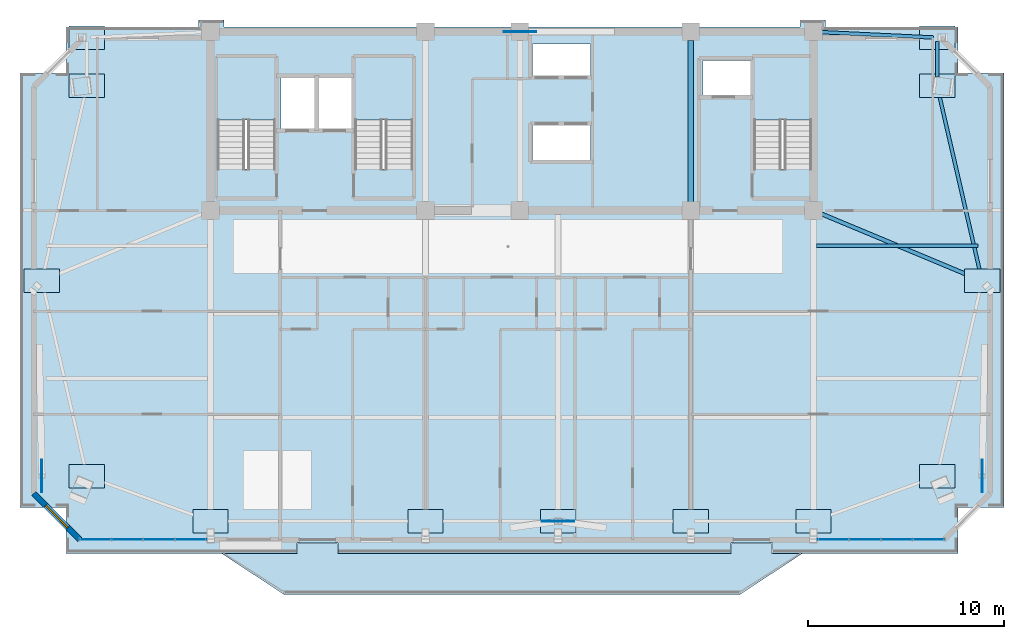
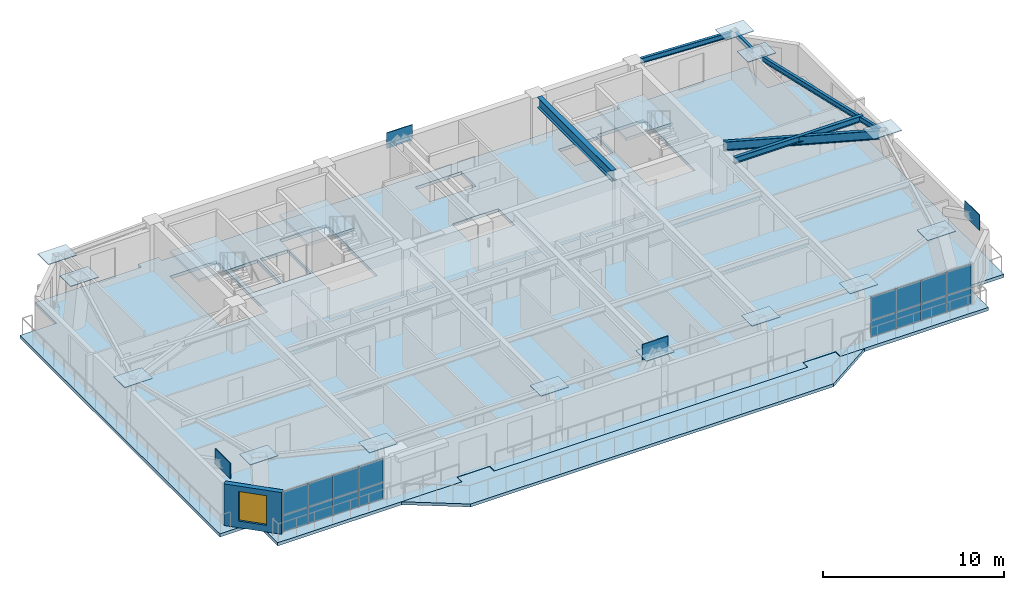
# One storey, part 5 of 14: 33 plates, 6 beams, 5 slabs, 1 wall, 1 window, 1 opening, 5 elements without a shape of their own.
"""IFC4 building model written with IfcOpenShell, lengths in metres."""

from ifc_helpers import new_model, si_unit, direction, frame, frame_2d, origin, origin_2d, place, context, subcontext, project, spatial, polyline, rectangle, i_section, outline, extrude, source, transform, mapped, material, layer, layer_set, material_profile, profile_set, type_object, element, fill, aggregate, save


model = new_model("IFC4")

# Units and contexts
model_context = context("Model", 3, precision=1e-05, world=origin(), true_north=direction((0.0, 1.0)))
body_context = subcontext(model_context, "Body", "Model", "MODEL_VIEW")
ifc_project = project(units=[si_unit("LENGTHUNIT", "METRE"), si_unit("AREAUNIT", "SQUARE_METRE"), si_unit("VOLUMEUNIT", "CUBIC_METRE"), si_unit("PLANEANGLEUNIT", "RADIAN"), si_unit("MASSUNIT", "GRAM", prefix="KILO")], contexts=[model_context])

# Site, building, storey
site_placement = place(None, origin())
site = spatial("IfcSite", under=ifc_project, at=site_placement, CompositionType="ELEMENT")
building_placement = place(site_placement, origin())
building = spatial("IfcBuilding", under=site, at=building_placement, Name="Giltprow Tower", CompositionType="ELEMENT")
storey_placement = place(building_placement, frame((0.0, 0.0, 321.0)))
storey = spatial("IfcBuildingStorey", under=building, at=storey_placement, Name="L83", CompositionType="ELEMENT", Elevation=321.0)

# Beams
ifc_material_1 = material(Name="Structural steel Q355B", Category="steel")
ifc_material_profile_1 = material_profile(ifc_material_1, i_section(OverallWidth=0.300048828125, OverallDepth=0.699951171875, WebThickness=0.012939453125, FlangeThickness=0.02392578125, at=origin_2d()), Name="HN 700x300x13x24")
ifc_profile_set_1 = profile_set([ifc_material_profile_1], Name="Structural steel Q355B")
beam_type_1 = type_object("IfcBeamType", Name="BM-GIRD-HN700", PredefinedType="BEAM", material=ifc_profile_set_1)
shared_shape_1 = source(origin(), body_context, "Body", "SweptSolid", [
    extrude(i_section(OverallWidth=0.300048828125, OverallDepth=0.699951171875, WebThickness=0.012939453125, FlangeThickness=0.02392578125, at=origin_2d()), origin(), (0.0, 0.0, 1.0), 8.22998046875),
])
beam_1_placement = place(storey_placement, frame((44.300048828125, 37.885009765625, 2.8349609375), z_axis=(0.0, 1.0, 0.0), x_axis=(-1.0, 0.0, 0.0)))
element("IfcBeam", 1, at=beam_1_placement, inside=storey, type_object=beam_type_1, Name="L83 Core Tie Girder M3", PredefinedType="BEAM", context=body_context, shape_type="MappedRepresentation", body=[
    mapped(shared_shape_1, transform((0.0, 0.0, 0.0), x_axis=(1.0, 0.0, 0.0), y_axis=(0.0, 1.0, 0.0), z_axis=(0.0, 0.0, 1.0), scale=1.0)),
])
ifc_material_profile_2 = material_profile(ifc_material_1, i_section(OverallWidth=0.175048828125, OverallDepth=0.35009765625, WebThickness=0.007080078125, FlangeThickness=0.010986328125, at=origin_2d()), Name="HN 350x175x7x11")
ifc_profile_set_2 = profile_set([ifc_material_profile_2], Name="Structural steel Q355B")
beam_type_2 = type_object("IfcBeamType", Name="BM-SPAN-HN350", PredefinedType="SPANDREL", material=ifc_profile_set_2)
shared_shape_2 = source(origin(), body_context, "Body", "SweptSolid", [
    extrude(i_section(OverallWidth=0.175048828125, OverallDepth=0.35009765625, WebThickness=0.007080078125, FlangeThickness=0.010986328125, at=origin_2d()), origin(), (0.0, 0.0, 1.0), 9.580810546875),
])
beam_2_placement = place(storey_placement, frame((59.089111328125, 34.048095703125, 3.010009765625), z_axis=(-0.224626866527, 0.974444852639, 0.0), x_axis=(-0.974444852639, -0.224626866527, 0.0)))
element("IfcBeam", 2, at=beam_2_placement, inside=storey, type_object=beam_type_2, Name="L83 Perimeter Spandrel Beam E_MID-MC_NE", PredefinedType="SPANDREL", context=body_context, shape_type="MappedRepresentation", body=[
    mapped(shared_shape_2, transform((0.0, 0.0, 0.0), x_axis=(1.0, 0.0, 0.0), y_axis=(0.0, 1.0, 0.0), z_axis=(0.0, 0.0, 1.0), scale=1.0)),
])
shared_shape_3 = source(origin(), body_context, "Body", "SweptSolid", [
    extrude(i_section(OverallWidth=0.175048828125, OverallDepth=0.35009765625, WebThickness=0.007080078125, FlangeThickness=0.010986328125, at=origin_2d()), origin(), (0.0, 0.0, 1.0), 1.822021484375),
])
beam_3_placement = place(storey_placement, frame((56.839111328125, 44.242919921875, 3.010009765625), z_axis=(0.0, 1.0, 0.0), x_axis=(-1.0, 0.0, 0.0)))
element("IfcBeam", 3, at=beam_3_placement, inside=storey, type_object=beam_type_2, Name="L83 Perimeter Spandrel Beam MC_NE-N_E", PredefinedType="SPANDREL", context=body_context, shape_type="MappedRepresentation", body=[
    mapped(shared_shape_3, transform((0.0, 0.0, 0.0), x_axis=(1.0, 0.0, 0.0), y_axis=(0.0, 1.0, 0.0), z_axis=(0.0, 0.0, 1.0), scale=1.0)),
])
shared_shape_4 = source(origin(), body_context, "Body", "SweptSolid", [
    extrude(i_section(OverallWidth=0.175048828125, OverallDepth=0.35009765625, WebThickness=0.007080078125, FlangeThickness=0.010986328125, at=origin_2d()), origin(), (0.0, 0.0, 1.0), 5.67529296875),
])
beam_4_placement = place(storey_placement, frame((50.985107421875, 46.529052734375, 3.010009765625), z_axis=(0.9988675537, -0.047577412334, 0.0), x_axis=(0.047577412334, 0.9988675537, 0.0)))
element("IfcBeam", 4, at=beam_4_placement, inside=storey, type_object=beam_type_2, Name="L83 North Wing Spandrel E", PredefinedType="SPANDREL", context=body_context, shape_type="MappedRepresentation", body=[
    mapped(shared_shape_4, transform((0.0, 0.0, 0.0), x_axis=(1.0, 0.0, 0.0), y_axis=(0.0, 1.0, 0.0), z_axis=(0.0, 0.0, 1.0), scale=1.0)),
])
ifc_material_profile_3 = material_profile(ifc_material_1, i_section(OverallWidth=0.199951171875, OverallDepth=0.60009765625, WebThickness=0.010986328125, FlangeThickness=0.01708984375, at=origin_2d()), Name="HN 600x200x11x17")
ifc_profile_set_3 = profile_set([ifc_material_profile_3], Name="Structural steel Q355B")
beam_type_3 = type_object("IfcBeamType", Name="BM-GIRD-HN600", PredefinedType="BEAM", material=ifc_profile_set_3)
shared_shape_5 = source(origin(), body_context, "Body", "SweptSolid", [
    extrude(i_section(OverallWidth=0.199951171875, OverallDepth=0.60009765625, WebThickness=0.010986328125, FlangeThickness=0.01708984375, at=origin_2d()), origin(), (0.0, 0.0, 1.0), 8.6787109375),
])
beam_5_placement = place(storey_placement, frame((58.9599609375, 33.93896484375, 2.885009765625), z_axis=(-0.922834547901, 0.38519656956, 0.0), x_axis=(-0.38519656956, -0.922834547901, 0.0)))
element("IfcBeam", 5, at=beam_5_placement, inside=storey, type_object=beam_type_3, Name="L83 East Wing Primary Girder", PredefinedType="BEAM", context=body_context, shape_type="MappedRepresentation", body=[
    mapped(shared_shape_5, transform((0.0, 0.0, 0.0), x_axis=(1.0, 0.0, 0.0), y_axis=(0.0, 1.0, 0.0), z_axis=(0.0, 0.0, 1.0), scale=1.0)),
])
ifc_material_profile_4 = material_profile(ifc_material_1, i_section(OverallWidth=0.199951171875, OverallDepth=0.39990234375, WebThickness=0.008056640625, FlangeThickness=0.012939453125, at=origin_2d()), Name="HN 400x200x8x13")
ifc_profile_set_4 = profile_set([ifc_material_profile_4], Name="Structural steel Q355B")
beam_type_4 = type_object("IfcBeamType", Name="BM-JOIST-HN400", PredefinedType="JOIST", material=ifc_profile_set_4)
shared_shape_6 = source(origin(), body_context, "Body", "SweptSolid", [
    extrude(i_section(OverallWidth=0.199951171875, OverallDepth=0.39990234375, WebThickness=0.008056640625, FlangeThickness=0.012939453125, at=origin_2d()), origin(), (0.0, 0.0, 1.0), 8.2158203125),
])
beam_6_placement = place(storey_placement, frame((50.695068359375, 35.658935546875, 2.985107421875), z_axis=(1.0, 0.0, 0.0), x_axis=(0.0, 1.0, 0.0)))
element("IfcBeam", 6, at=beam_6_placement, inside=storey, type_object=beam_type_4, Name="L83 East Wing Floor Joist 2", PredefinedType="JOIST", context=body_context, shape_type="MappedRepresentation", body=[
    mapped(shared_shape_6, transform((0.0, 0.0, 0.0), x_axis=(1.0, 0.0, 0.0), y_axis=(0.0, 1.0, 0.0), z_axis=(0.0, 0.0, 1.0), scale=1.0)),
])

# Slabs
ifc_material_2 = material(Name="Concrete C40", Category="concrete")
ifc_layer_1 = layer(ifc_material_2, 0.199951171875, Name="Concrete C40")
ifc_layer_set_1 = layer_set([ifc_layer_1], Name="Concrete C40")
slab_type_1 = type_object("IfcSlabType", Name="SLB-BALC-BRONZE-200", PredefinedType="FLOOR", material=ifc_layer_set_1)
slab_1_placement = place(storey_placement, frame((0.0, 0.0, -0.199951171875)))
element("IfcSlab", 7, at=slab_1_placement, inside=storey, type_object=slab_type_1, Name="L83 Bronze Prow Waterfront Balcony Slab", PredefinedType="FLOOR", context=body_context, shape_type="SweptSolid", body=[
    extrude(outline(polyline([(50.0, 20.00390625), (46.800048828125, 17.904052734375), (23.60009765625, 17.904052734375), (20.39990234375, 20.00390625), (24.280029296875, 20.00390625), (24.280029296875, 20.50390625), (26.320068359375, 20.50390625), (26.320068359375, 20.00390625), (46.3798828125, 20.00390625), (46.3798828125, 20.50390625), (48.419921875, 20.50390625), (48.419921875, 20.00390625), (50.0, 20.00390625)])), origin(), (0.0, 0.0, 1.0), 0.199951171875),
])
ifc_layer_2 = layer(ifc_material_2, 0.215087890625, Name="Concrete C40")
ifc_layer_set_2 = layer_set([ifc_layer_2], Name="Concrete C40")
slab_type_2 = type_object("IfcSlabType", Name="SLB-RES-215", PredefinedType="FLOOR", material=ifc_layer_set_2)
slab_2_placement = place(storey_placement, frame((0.0, 0.0, -0.215087890625)))
element("IfcSlab", 8, at=slab_2_placement, inside=storey, type_object=slab_type_2, Name="L83 Structural Composite Floor Slab", PredefinedType="FLOOR", context=body_context, shape_type="SweptSolid", body=[
    extrude(outline(polyline([(60.24609375, 44.4619140625), (60.24609375, 22.342041015625), (57.907958984375, 22.342041015625), (57.907958984375, 20.00390625), (48.449951171875, 20.00390625), (48.449951171875, 20.52392578125), (46.35009765625, 20.52392578125), (46.35009765625, 20.00390625), (26.35009765625, 20.00390625), (26.35009765625, 20.52392578125), (24.25, 20.52392578125), (24.25, 20.00390625), (12.492919921875, 20.00390625), (12.492919921875, 22.342041015625), (10.155029296875, 22.342041015625), (10.155029296875, 44.4619140625), (12.492919921875, 44.4619140625), (12.492919921875, 46.800048828125), (19.25, 46.800048828125), (19.25, 47.14990234375), (20.550048828125, 47.14990234375), (20.550048828125, 46.800048828125), (49.85009765625, 46.800048828125), (49.85009765625, 47.14990234375), (51.14990234375, 47.14990234375), (51.14990234375, 46.800048828125), (57.907958984375, 46.800048828125), (57.907958984375, 44.4619140625), (60.24609375, 44.4619140625)]), holes=[polyline([(39.18994140625, 41.800048828125), (36.239990234375, 41.800048828125), (36.239990234375, 40.0), (39.18994140625, 40.0), (39.18994140625, 41.800048828125)]), polyline([(23.159912109375, 39.570068359375), (23.159912109375, 45.25), (20.199951171875, 45.25), (20.199951171875, 39.570068359375), (23.159912109375, 39.570068359375)]), polyline([(30.159912109375, 39.570068359375), (30.159912109375, 45.25), (27.199951171875, 45.25), (27.199951171875, 39.570068359375), (30.159912109375, 39.570068359375)]), polyline([(50.4599609375, 45.25), (47.5, 45.25), (47.5, 39.570068359375), (50.4599609375, 39.570068359375), (50.4599609375, 45.25)]), polyline([(25.169921875, 44.199951171875), (23.449951171875, 44.199951171875), (23.449951171875, 41.60009765625), (25.169921875, 41.60009765625), (25.169921875, 44.199951171875)]), polyline([(27.10009765625, 44.199951171875), (25.35009765625, 44.199951171875), (25.35009765625, 41.60009765625), (27.10009765625, 41.60009765625), (27.10009765625, 44.199951171875)]), polyline([(47.3798828125, 43.300048828125), (47.3798828125, 45.10009765625), (44.919921875, 45.10009765625), (44.919921875, 43.300048828125), (47.3798828125, 43.300048828125)]), polyline([(39.18994140625, 44.300048828125), (39.18994140625, 45.919921875), (36.239990234375, 45.919921875), (36.239990234375, 44.300048828125), (39.18994140625, 44.300048828125)])]), origin(), (0.0, 0.0, 1.0), 0.215087890625),
])

# Stair, slab
stair_type_1 = type_object("IfcStairType", Name="STR-ST-1", PredefinedType="HALF_TURN_STAIR", material=ifc_material_2)
stair_1_placement = place(storey_placement, origin())
stair_1 = element("IfcStair", 9, at=stair_1_placement, inside=storey, type_object=stair_type_1, Name="L83 Core Exit Stair ST-1", PredefinedType="HALF_TURN_STAIR")
ifc_layer_3 = layer(ifc_material_2, 0.179931640625, Name="Concrete C40")
ifc_layer_set_3 = layer_set([ifc_layer_3], Name="Concrete C40")
slab_type_3 = type_object("IfcSlabType", Name="SLD-ST-1", PredefinedType="LANDING", material=ifc_layer_set_3)
slab_3_placement = place(storey_placement, frame((0.0, 0.0, 1.52001953125)))
slab_3 = element("IfcSlab", 10, at=slab_3_placement, type_object=slab_type_3, Name="ST-1 landing 1", PredefinedType="LANDING", context=body_context, shape_type="SweptSolid", body=[
    extrude(outline(polyline([(23.159912109375, 42.070068359375), (23.159912109375, 45.25), (20.199951171875, 45.25), (20.199951171875, 42.070068359375), (23.159912109375, 42.070068359375)])), origin(), (0.0, 0.0, 1.0), 0.179931640625),
])
aggregate(stair_1, [slab_3])

stair_type_2 = type_object("IfcStairType", Name="STR-ST-2", PredefinedType="HALF_TURN_STAIR", material=ifc_material_2)
stair_2_placement = place(storey_placement, origin())
stair_2 = element("IfcStair", 11, at=stair_2_placement, inside=storey, type_object=stair_type_2, Name="L83 Core Exit Stair ST-2", PredefinedType="HALF_TURN_STAIR")
ifc_layer_4 = layer(ifc_material_2, 0.18798828125, Name="Concrete C40")
ifc_layer_set_4 = layer_set([ifc_layer_4], Name="Concrete C40")
slab_type_4 = type_object("IfcSlabType", Name="SLD-ST-2", PredefinedType="LANDING", material=ifc_layer_set_4)
slab_4_placement = place(storey_placement, frame((0.0, 0.0, 1.511962890625)))
slab_4 = element("IfcSlab", 12, at=slab_4_placement, type_object=slab_type_4, Name="ST-2 landing 1", PredefinedType="LANDING", context=body_context, shape_type="SweptSolid", body=[
    extrude(outline(polyline([(30.159912109375, 42.070068359375), (30.159912109375, 45.25), (27.199951171875, 45.25), (27.199951171875, 42.070068359375), (30.159912109375, 42.070068359375)])), origin(), (0.0, 0.0, 1.0), 0.18798828125),
])
aggregate(stair_2, [slab_4])

stair_type_3 = type_object("IfcStairType", Name="STR-ST-3", PredefinedType="HALF_TURN_STAIR", material=ifc_material_2)
stair_3_placement = place(storey_placement, origin())
stair_3 = element("IfcStair", 13, at=stair_3_placement, inside=storey, type_object=stair_type_3, Name="L83 Core Exit Stair ST-3", PredefinedType="HALF_TURN_STAIR")
ifc_layer_5 = layer(ifc_material_2, 0.196044921875, Name="Concrete C40")
ifc_layer_set_5 = layer_set([ifc_layer_5], Name="Concrete C40")
slab_type_5 = type_object("IfcSlabType", Name="SLD-ST-3", PredefinedType="LANDING", material=ifc_layer_set_5)
slab_5_placement = place(storey_placement, frame((0.0, 0.0, 1.50390625)))
slab_5 = element("IfcSlab", 14, at=slab_5_placement, type_object=slab_type_5, Name="ST-3 landing 1", PredefinedType="LANDING", context=body_context, shape_type="SweptSolid", body=[
    extrude(outline(polyline([(50.4599609375, 42.070068359375), (50.4599609375, 45.25), (47.5, 45.25), (47.5, 42.070068359375), (50.4599609375, 42.070068359375)])), origin(), (0.0, 0.0, 1.0), 0.196044921875),
])
aggregate(stair_3, [slab_5])

# Plates
ifc_material_3 = material(Name="Structural steel Q420GJC", Category="steel")
plate_type_1 = type_object("IfcPlateType", Name="PLT-NODE-CKN1", PredefinedType="USERDEFINED", material=ifc_material_3)
shared_shape_7 = source(origin(), body_context, "Body", "SweptSolid", [
    extrude(rectangle(XDim=1.800048828125, YDim=1.199951171875, at=origin_2d()), origin(), (0.0, 0.0, 1.0), 0.044921875),
])
for number, where, z_axis, x_axis, name in (
    (15, (13.56201171875, 23.927978515625, 3.142578125), (0.0, 0.0, 1.0), (1.0, 0.0, 0.0), "CKN1 Column Taper Splice Node L83-MC_SW"),
    (16, (56.839111328125, 23.927978515625, 3.142578125), (0.0, 0.0, 1.0), (1.0, 0.0, 0.0), "CKN1 Column Taper Splice Node L83-MC_SE"),
    (17, (13.56201171875, 43.80810546875, 3.142578125), (0.0, 0.0, 1.0), (1.0, 0.0, 0.0), "CKN1 Column Taper Splice Node L83-MC_NW"),
    (18, (56.839111328125, 43.80810546875, 3.142578125), (0.0, 0.0, 1.0), (1.0, 0.0, 0.0), "CKN1 Column Taper Splice Node L83-MC_NE"),
    (19, (19.85009765625, 21.635986328125, 3.142578125), (0.0, 0.0, 1.0), (1.0, 0.0, 0.0), "CKN1 Column Taper Splice Node L83-S1"),
    (20, (30.800048828125, 21.635986328125, 3.142578125), (0.0, 0.0, 1.0), (1.0, 0.0, 0.0), "CKN1 Column Taper Splice Node L83-S2"),
    (21, (37.550048828125, 21.635986328125, 3.142578125), (0.0, 0.0, 1.0), (1.0, 0.0, 0.0), "CKN1 Column Taper Splice Node L83-S_MID"),
    (22, (44.300048828125, 21.635986328125, 3.142578125), (0.0, 0.0, 1.0), (1.0, 0.0, 0.0), "CKN1 Column Taper Splice Node L83-S3"),
    (23, (50.550048828125, 21.635986328125, 3.142578125), (0.0, 0.0, 1.0), (1.0, 0.0, 0.0), "CKN1 Column Taper Splice Node L83-S4"),
    (24, (11.27001953125, 33.867919921875, 3.142578125), (0.0, 0.0, 1.0), (1.0, 0.0, 0.0), "CKN1 Column Taper Splice Node L83-W_MID"),
    (25, (59.131103515625, 33.867919921875, 3.142578125), (0.0, 0.0, 1.0), (1.0, 0.0, 0.0), "CKN1 Column Taper Splice Node L83-E_MID"),
    (26, (13.56201171875, 46.25, 3.142578125), (0.0, 0.0, 1.0), (1.0, 0.0, 0.0), "CKN1 Column Taper Splice Node L83-N_W"),
    (27, (56.839111328125, 46.25, 3.142578125), (0.0, 0.0, 1.0), (1.0, 0.0, 0.0), "CKN1 Column Taper Splice Node L83-N_E"),
):
    element("IfcPlate", number, at=place(storey_placement, frame(where, z_axis=z_axis, x_axis=x_axis)), inside=storey, type_object=plate_type_1, Name=name, ObjectType="SPLICE", PredefinedType="USERDEFINED", context=body_context, shape_type="MappedRepresentation", body=[
        mapped(shared_shape_7, transform((0.0, 0.0, 0.0), x_axis=(1.0, 0.0, 0.0), y_axis=(0.0, 1.0, 0.0), z_axis=(0.0, 0.0, 1.0), scale=1.0)),
    ])
plate_type_2 = type_object("IfcPlateType", Name="PLT-NODE-MBN2", PredefinedType="USERDEFINED", material=ifc_material_3)
shared_shape_8 = source(origin(), body_context, "Body", "SweptSolid", [
    extrude(rectangle(XDim=1.64990234375, YDim=0.044921875, at=origin_2d()), origin(), (0.0, 0.0, 1.0), 1.050048828125),
])
for number, where, z_axis, x_axis, name in (
    (28, (37.550048828125, 21.635986328125, 2.875), (0.0, 0.0, 1.0), (1.0, 0.0, 0.0), "Mega-Brace Node L83-S-LB"),
    (29, (35.60009765625, 46.550048828125, 2.73486328125), (0.0, 0.0, 1.0), (1.0, 0.0, 0.0), "Mega-Brace Node L83-N-LB"),
    (30, (11.27001953125, 23.927978515625, 2.875), (0.0, 0.0, 1.0), (0.0, 1.0, 0.0), "Mega-Brace Node L83-W-DB"),
    (31, (59.131103515625, 23.927978515625, 2.875), (0.0, 0.0, 1.0), (0.0, 1.0, 0.0), "Mega-Brace Node L83-E-DB"),
):
    element("IfcPlate", number, at=place(storey_placement, frame(where, z_axis=z_axis, x_axis=x_axis)), inside=storey, type_object=plate_type_2, Name=name, ObjectType="GUSSET", PredefinedType="USERDEFINED", context=body_context, shape_type="MappedRepresentation", body=[
        mapped(shared_shape_8, transform((0.0, 0.0, 0.0), x_axis=(1.0, 0.0, 0.0), y_axis=(0.0, 1.0, 0.0), z_axis=(0.0, 0.0, 1.0), scale=1.0)),
    ])

# Curtain wall, plates
ifc_material_4 = material(Name="Anodized bronze", Category="metal")
ifc_layer_6 = layer(ifc_material_4, 0.179931640625, Name="Anodized bronze")
ifc_layer_set_6 = layer_set([ifc_layer_6], Name="Anodized bronze")
curtain_wall_type = type_object("IfcCurtainWallType", Name="CW-RES-SKY", PredefinedType="NOTDEFINED", material=ifc_layer_set_6)
curtain_wall_1_placement = place(storey_placement, origin())
curtain_wall_1 = element("IfcCurtainWall", 32, at=curtain_wall_1_placement, inside=storey, type_object=curtain_wall_type, Name="L83 South Recessed Curtain Wall 1", PredefinedType="NOTDEFINED")
ifc_material_5 = material(Name="Insulated glass", Category="glass")
plate_type_3 = type_object("IfcPlateType", Name="CW-PANEL-IGU-28", PredefinedType="CURTAIN_PANEL", material=ifc_material_5)
shared_shape_9 = source(origin(), body_context, "Body", "SweptSolid", [
    extrude(rectangle(XDim=1.583984375, YDim=0.028076171875, at=origin_2d()), origin(), (0.0, 0.0, 1.0), 1.114013671875),
])
plate_1_placement = place(storey_placement, frame((14.0, 20.7041015625, 0.05419921875), z_axis=(0.0, 0.0, 1.0), x_axis=(1.0, 0.0, 0.0)))
plate_1 = element("IfcPlate", 33, at=plate_1_placement, type_object=plate_type_3, Name="L83 South Recessed Curtain Wall 1 Glazing Panel 1-1", PredefinedType="CURTAIN_PANEL", context=body_context, shape_type="MappedRepresentation", body=[
    mapped(shared_shape_9, transform((0.0, 0.0, 0.0), x_axis=(1.0, 0.0, 0.0), y_axis=(0.0, 1.0, 0.0), z_axis=(0.0, 0.0, 1.0), scale=1.0)),
])
plate_2_placement = place(storey_placement, frame((15.614013671875, 20.7041015625, 0.05419921875), z_axis=(0.0, 0.0, 1.0), x_axis=(1.0, 0.0, 0.0)))
plate_2 = element("IfcPlate", 34, at=plate_2_placement, type_object=plate_type_3, Name="L83 South Recessed Curtain Wall 1 Glazing Panel 2-1", PredefinedType="CURTAIN_PANEL", context=body_context, shape_type="MappedRepresentation", body=[
    mapped(shared_shape_9, transform((0.0, 0.0, 0.0), x_axis=(1.0, 0.0, 0.0), y_axis=(0.0, 1.0, 0.0), z_axis=(0.0, 0.0, 1.0), scale=1.0)),
])
plate_3_placement = place(storey_placement, frame((17.22900390625, 20.7041015625, 0.05419921875), z_axis=(0.0, 0.0, 1.0), x_axis=(1.0, 0.0, 0.0)))
plate_3 = element("IfcPlate", 35, at=plate_3_placement, type_object=plate_type_3, Name="L83 South Recessed Curtain Wall 1 Glazing Panel 3-1", PredefinedType="CURTAIN_PANEL", context=body_context, shape_type="MappedRepresentation", body=[
    mapped(shared_shape_9, transform((0.0, 0.0, 0.0), x_axis=(1.0, 0.0, 0.0), y_axis=(0.0, 1.0, 0.0), z_axis=(0.0, 0.0, 1.0), scale=1.0)),
])
plate_4_placement = place(storey_placement, frame((18.843017578125, 20.7041015625, 0.05419921875), z_axis=(0.0, 0.0, 1.0), x_axis=(1.0, 0.0, 0.0)))
plate_4 = element("IfcPlate", 36, at=plate_4_placement, type_object=plate_type_3, Name="L83 South Recessed Curtain Wall 1 Glazing Panel 4-1", PredefinedType="CURTAIN_PANEL", context=body_context, shape_type="MappedRepresentation", body=[
    mapped(shared_shape_9, transform((0.0, 0.0, 0.0), x_axis=(1.0, 0.0, 0.0), y_axis=(0.0, 1.0, 0.0), z_axis=(0.0, 0.0, 1.0), scale=1.0)),
])

# Curtain wall, plate
curtain_wall_2_placement = place(storey_placement, origin())
curtain_wall_2 = element("IfcCurtainWall", 37, at=curtain_wall_2_placement, inside=storey, type_object=curtain_wall_type, Name="L83 South Recessed Curtain Wall 6", PredefinedType="NOTDEFINED")
plate_5_placement = place(storey_placement, frame((51.556884765625, 20.7041015625, 0.05419921875), z_axis=(0.0, 0.0, 1.0), x_axis=(1.0, 0.0, 0.0)))
plate_5 = element("IfcPlate", 38, at=plate_5_placement, type_object=plate_type_3, Name="L83 South Recessed Curtain Wall 6 Glazing Panel 1-1", PredefinedType="CURTAIN_PANEL", context=body_context, shape_type="MappedRepresentation", body=[
    mapped(shared_shape_9, transform((0.0, 0.0, 0.0), x_axis=(1.0, 0.0, 0.0), y_axis=(0.0, 1.0, 0.0), z_axis=(0.0, 0.0, 1.0), scale=1.0)),
])

# Plate
shared_shape_10 = source(origin(), body_context, "Body", "SweptSolid", [
    extrude(rectangle(XDim=1.583984375, YDim=0.028076171875, at=origin_2d()), origin(), (0.0, 0.0, 1.0), 1.56494140625),
])
plate_6_placement = place(storey_placement, frame((14.0, 20.7041015625, 1.195556640625), z_axis=(0.0, 0.0, 1.0), x_axis=(1.0, 0.0, 0.0)))
plate_6 = element("IfcPlate", 39, at=plate_6_placement, type_object=plate_type_3, Name="L83 South Recessed Curtain Wall 1 Glazing Panel 1-2", PredefinedType="CURTAIN_PANEL", context=body_context, shape_type="MappedRepresentation", body=[
    mapped(shared_shape_10, transform((0.0, 0.0, 0.0), x_axis=(1.0, 0.0, 0.0), y_axis=(0.0, 1.0, 0.0), z_axis=(0.0, 0.0, 1.0), scale=1.0)),
])

plate_7_placement = place(storey_placement, frame((15.614013671875, 20.7041015625, 1.195556640625), z_axis=(0.0, 0.0, 1.0), x_axis=(1.0, 0.0, 0.0)))
plate_7 = element("IfcPlate", 40, at=plate_7_placement, type_object=plate_type_3, Name="L83 South Recessed Curtain Wall 1 Glazing Panel 2-2", PredefinedType="CURTAIN_PANEL", context=body_context, shape_type="MappedRepresentation", body=[
    mapped(shared_shape_10, transform((0.0, 0.0, 0.0), x_axis=(1.0, 0.0, 0.0), y_axis=(0.0, 1.0, 0.0), z_axis=(0.0, 0.0, 1.0), scale=1.0)),
])

plate_8_placement = place(storey_placement, frame((17.22900390625, 20.7041015625, 1.195556640625), z_axis=(0.0, 0.0, 1.0), x_axis=(1.0, 0.0, 0.0)))
plate_8 = element("IfcPlate", 41, at=plate_8_placement, type_object=plate_type_3, Name="L83 South Recessed Curtain Wall 1 Glazing Panel 3-2", PredefinedType="CURTAIN_PANEL", context=body_context, shape_type="MappedRepresentation", body=[
    mapped(shared_shape_10, transform((0.0, 0.0, 0.0), x_axis=(1.0, 0.0, 0.0), y_axis=(0.0, 1.0, 0.0), z_axis=(0.0, 0.0, 1.0), scale=1.0)),
])

plate_9_placement = place(storey_placement, frame((18.843017578125, 20.7041015625, 1.195556640625), z_axis=(0.0, 0.0, 1.0), x_axis=(1.0, 0.0, 0.0)))
plate_9 = element("IfcPlate", 42, at=plate_9_placement, type_object=plate_type_3, Name="L83 South Recessed Curtain Wall 1 Glazing Panel 4-2", PredefinedType="CURTAIN_PANEL", context=body_context, shape_type="MappedRepresentation", body=[
    mapped(shared_shape_10, transform((0.0, 0.0, 0.0), x_axis=(1.0, 0.0, 0.0), y_axis=(0.0, 1.0, 0.0), z_axis=(0.0, 0.0, 1.0), scale=1.0)),
])

aggregate(curtain_wall_1, [plate_1, plate_6, plate_2, plate_7, plate_3, plate_8, plate_4, plate_9])

plate_10_placement = place(storey_placement, frame((51.556884765625, 20.7041015625, 1.195556640625), z_axis=(0.0, 0.0, 1.0), x_axis=(1.0, 0.0, 0.0)))
plate_10 = element("IfcPlate", 43, at=plate_10_placement, type_object=plate_type_3, Name="L83 South Recessed Curtain Wall 6 Glazing Panel 1-2", PredefinedType="CURTAIN_PANEL", context=body_context, shape_type="MappedRepresentation", body=[
    mapped(shared_shape_10, transform((0.0, 0.0, 0.0), x_axis=(1.0, 0.0, 0.0), y_axis=(0.0, 1.0, 0.0), z_axis=(0.0, 0.0, 1.0), scale=1.0)),
])

shared_shape_11 = source(origin(), body_context, "Body", "SweptSolid", [
    extrude(rectangle(XDim=1.5849609375, YDim=0.028076171875, at=origin_2d()), origin(), (0.0, 0.0, 1.0), 1.114013671875),
])
plate_11_placement = place(storey_placement, frame((53.172119140625, 20.7041015625, 0.05419921875), z_axis=(0.0, 0.0, 1.0), x_axis=(1.0, 0.0, 0.0)))
plate_11 = element("IfcPlate", 44, at=plate_11_placement, type_object=plate_type_3, Name="L83 South Recessed Curtain Wall 6 Glazing Panel 2-1", PredefinedType="CURTAIN_PANEL", context=body_context, shape_type="MappedRepresentation", body=[
    mapped(shared_shape_11, transform((0.0, 0.0, 0.0), x_axis=(1.0, 0.0, 0.0), y_axis=(0.0, 1.0, 0.0), z_axis=(0.0, 0.0, 1.0), scale=1.0)),
])

plate_12_placement = place(storey_placement, frame((54.785888671875, 20.7041015625, 0.05419921875), z_axis=(0.0, 0.0, 1.0), x_axis=(1.0, 0.0, 0.0)))
plate_12 = element("IfcPlate", 45, at=plate_12_placement, type_object=plate_type_3, Name="L83 South Recessed Curtain Wall 6 Glazing Panel 3-1", PredefinedType="CURTAIN_PANEL", context=body_context, shape_type="MappedRepresentation", body=[
    mapped(shared_shape_11, transform((0.0, 0.0, 0.0), x_axis=(1.0, 0.0, 0.0), y_axis=(0.0, 1.0, 0.0), z_axis=(0.0, 0.0, 1.0), scale=1.0)),
])

plate_13_placement = place(storey_placement, frame((56.40087890625, 20.7041015625, 0.05419921875), z_axis=(0.0, 0.0, 1.0), x_axis=(1.0, 0.0, 0.0)))
plate_13 = element("IfcPlate", 46, at=plate_13_placement, type_object=plate_type_3, Name="L83 South Recessed Curtain Wall 6 Glazing Panel 4-1", PredefinedType="CURTAIN_PANEL", context=body_context, shape_type="MappedRepresentation", body=[
    mapped(shared_shape_11, transform((0.0, 0.0, 0.0), x_axis=(1.0, 0.0, 0.0), y_axis=(0.0, 1.0, 0.0), z_axis=(0.0, 0.0, 1.0), scale=1.0)),
])

shared_shape_12 = source(origin(), body_context, "Body", "SweptSolid", [
    extrude(rectangle(XDim=1.5849609375, YDim=0.028076171875, at=origin_2d()), origin(), (0.0, 0.0, 1.0), 1.56494140625),
])
plate_14_placement = place(storey_placement, frame((53.172119140625, 20.7041015625, 1.195556640625), z_axis=(0.0, 0.0, 1.0), x_axis=(1.0, 0.0, 0.0)))
plate_14 = element("IfcPlate", 47, at=plate_14_placement, type_object=plate_type_3, Name="L83 South Recessed Curtain Wall 6 Glazing Panel 2-2", PredefinedType="CURTAIN_PANEL", context=body_context, shape_type="MappedRepresentation", body=[
    mapped(shared_shape_12, transform((0.0, 0.0, 0.0), x_axis=(1.0, 0.0, 0.0), y_axis=(0.0, 1.0, 0.0), z_axis=(0.0, 0.0, 1.0), scale=1.0)),
])

plate_15_placement = place(storey_placement, frame((54.785888671875, 20.7041015625, 1.195556640625), z_axis=(0.0, 0.0, 1.0), x_axis=(1.0, 0.0, 0.0)))
plate_15 = element("IfcPlate", 48, at=plate_15_placement, type_object=plate_type_3, Name="L83 South Recessed Curtain Wall 6 Glazing Panel 3-2", PredefinedType="CURTAIN_PANEL", context=body_context, shape_type="MappedRepresentation", body=[
    mapped(shared_shape_12, transform((0.0, 0.0, 0.0), x_axis=(1.0, 0.0, 0.0), y_axis=(0.0, 1.0, 0.0), z_axis=(0.0, 0.0, 1.0), scale=1.0)),
])

plate_16_placement = place(storey_placement, frame((56.40087890625, 20.7041015625, 1.195556640625), z_axis=(0.0, 0.0, 1.0), x_axis=(1.0, 0.0, 0.0)))
plate_16 = element("IfcPlate", 49, at=plate_16_placement, type_object=plate_type_3, Name="L83 South Recessed Curtain Wall 6 Glazing Panel 4-2", PredefinedType="CURTAIN_PANEL", context=body_context, shape_type="MappedRepresentation", body=[
    mapped(shared_shape_12, transform((0.0, 0.0, 0.0), x_axis=(1.0, 0.0, 0.0), y_axis=(0.0, 1.0, 0.0), z_axis=(0.0, 0.0, 1.0), scale=1.0)),
])

aggregate(curtain_wall_2, [plate_5, plate_10, plate_11, plate_14, plate_12, plate_15, plate_13, plate_16])

# Wall, opening, window
ifc_material_6 = material(Name="Precast concrete C40", Category="concrete")
ifc_layer_7 = layer(ifc_material_6, 0.300048828125, Name="Precast concrete C40")
ifc_layer_set_7 = layer_set([ifc_layer_7], Name="Precast concrete C40")
wall_type = type_object("IfcWallType", Name="EW-NOTCH-CHAMFER-300", PredefinedType="SOLIDWALL", material=ifc_layer_set_7)
wall_placement = place(storey_placement, frame((10.85498046875, 23.0419921875, 0.0), z_axis=(0.0, 0.0, 1.0), x_axis=(0.707143699075, -0.70706986137, 0.0)))
wall = element("IfcWall", 50, at=wall_placement, inside=storey, type_object=wall_type, Name="L83 Corner Notch Wall SW", PredefinedType="SOLIDWALL", context=body_context, shape_type="SweptSolid", body=[
    extrude(rectangle(XDim=3.306396484375, YDim=0.300048828125, at=frame_2d((1.6533203125, 0.0))), origin(), (0.0, 0.0, 1.0), 2.81494140625),
])
opening_placement = place(wall_placement, frame((0.85302734375, 0.0, 0.449951171875)))
opening = element("IfcOpeningElement", 51, at=opening_placement, cuts=wall, Name="Opening WN17", PredefinedType="OPENING", context=body_context, shape_type="SweptSolid", body=[
    extrude(rectangle(XDim=1.60009765625, YDim=2.0, at=frame_2d((0.800048828125, 1.0))), frame((0.0, 0.159912109375, 0.0), z_axis=(0.0, -1.0, 0.0), x_axis=(1.0, 0.0, 0.0)), (0.0, 0.0, 1.0), 0.320068359375),
])
window_type = type_object("IfcWindowType", Name="WN-COR-1600x2000", PartitioningType="SINGLE_PANEL", PredefinedType="WINDOW", material=ifc_material_5)
shared_shape_13 = source(origin(), body_context, "Body", "SweptSolid", [
    extrude(rectangle(XDim=1.60009765625, YDim=2.0, at=frame_2d((0.800048828125, 1.0))), frame((0.0, 0.030029296875, 0.0), z_axis=(0.0, -1.0, 0.0), x_axis=(1.0, 0.0, 0.0)), (0.0, 0.0, 1.0), 0.06005859375),
])
window_placement = place(opening_placement, origin())
window = element("IfcWindow", 52, at=window_placement, inside=storey, type_object=window_type, Name="L83 Corner Notch Window SW", OverallHeight=2.0, OverallWidth=1.60009765625, PartitioningType="SINGLE_PANEL", PredefinedType="WINDOW", context=body_context, shape_type="MappedRepresentation", body=[
    mapped(shared_shape_13, transform((0.0, 0.0, 0.0), x_axis=(1.0, 0.0, 0.0), y_axis=(0.0, 1.0, 0.0), z_axis=(0.0, 0.0, 1.0), scale=1.0)),
])
fill(opening, window)

save(model, "model.ifc")
